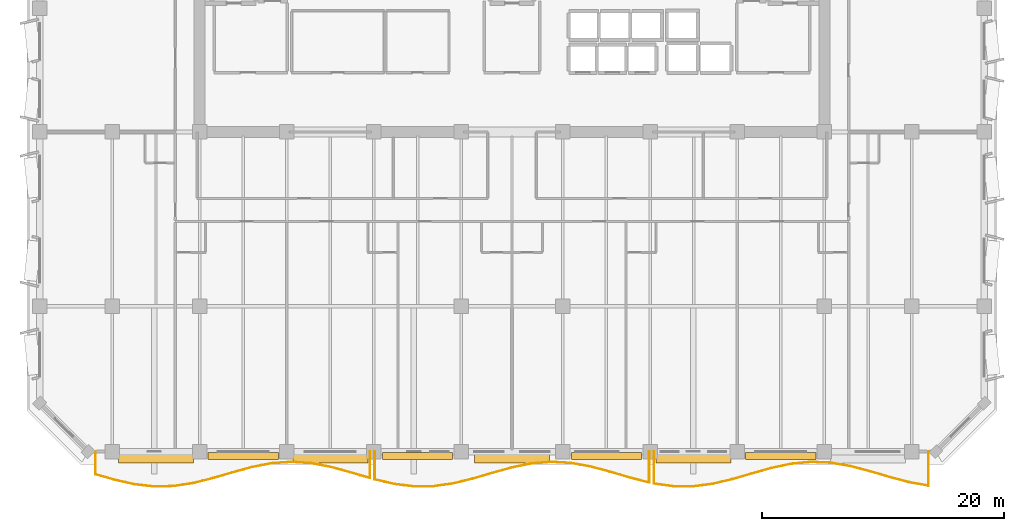
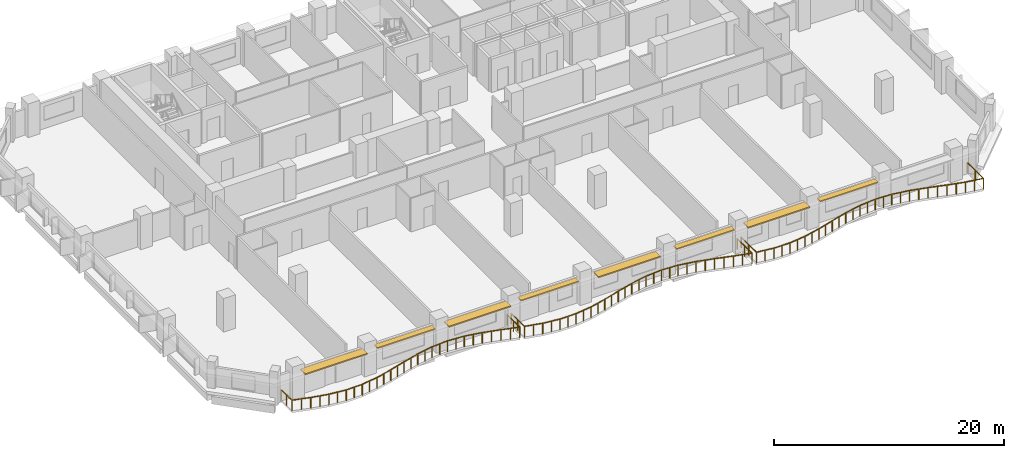
# One storey, part 10 of 14: 8 shading devices, 3 railings.
"""IFC4 building model written with IfcOpenShell, lengths in metres."""

from ifc_helpers import new_model, si_unit, direction, frame, origin, origin_2d, place, context, subcontext, project, spatial, rectangle, extrude, material, layer, layer_set, type_object, element, save


model = new_model("IFC4")

# Units and contexts
model_context = context("Model", 3, precision=1e-05, world=origin(), true_north=direction((0.0, 1.0)))
body_context = subcontext(model_context, "Body", "Model", "MODEL_VIEW")
ifc_project = project(units=[si_unit("LENGTHUNIT", "METRE"), si_unit("AREAUNIT", "SQUARE_METRE"), si_unit("VOLUMEUNIT", "CUBIC_METRE"), si_unit("PLANEANGLEUNIT", "RADIAN"), si_unit("MASSUNIT", "GRAM", prefix="KILO")], contexts=[model_context])

# Site, building, storey
site_placement = place(None, origin())
site = spatial("IfcSite", under=ifc_project, at=site_placement, CompositionType="ELEMENT")
building_placement = place(site_placement, origin())
building = spatial("IfcBuilding", under=site, at=building_placement, Name="Kaelvorn Grand Hotel", CompositionType="ELEMENT")
storey_placement = place(building_placement, frame((0.0, 0.0, 193.949951171875)))
storey = spatial("IfcBuildingStorey", under=building, at=storey_placement, Name="L47", CompositionType="ELEMENT", Elevation=193.949951171875)

# Railings
ifc_material_1 = material(Name="Stainless Steel", Category="steel")
railing_type = type_object("IfcRailingType", Name="RL-BALC-1150", PredefinedType="BALUSTRADE", material=ifc_material_1)
railing_1_placement = place(storey_placement, frame((7.60009765625, 3.0, 0.0)))
element("IfcRailing", 1, at=railing_1_placement, inside=storey, type_object=railing_type, Name="L47 Scalloped Wave Balcony Balustrade GR1-1", PredefinedType="BALUSTRADE", context=body_context, shape_type="SweptSolid", body=[
    extrude(rectangle(XDim=0.048095703125, YDim=0.048095703125, at=origin_2d()), frame((0.0, 0.0, 1.1259765625), z_axis=(0.0, -1.0, 0.0), x_axis=(1.0, 0.0, 0.0)), (0.0, 0.0, 1.0), 1.875),
    extrude(rectangle(XDim=0.048095703125, YDim=0.048095703125, at=origin_2d()), frame((0.0, -1.875, 1.1259765625), z_axis=(0.961123652399, -0.276118316667, 0.0), x_axis=(0.276118316667, 0.961123652399, 0.0)), (0.0, 0.0, 1.0), 1.684326171875),
    extrude(rectangle(XDim=0.048095703125, YDim=0.048095703125, at=origin_2d()), frame((1.618896484375, -2.340087890625, 1.1259765625), z_axis=(0.975679021294, -0.219204122697, 0.0), x_axis=(0.219204122697, 0.975679021294, 0.0)), (0.0, 0.0, 1.0), 1.659423828125),
    extrude(rectangle(XDim=0.048095703125, YDim=0.048095703125, at=origin_2d()), frame((3.238037109375, -2.703857421875, 1.1259765625), z_axis=(0.993647594746, -0.112536471672, 0.0), x_axis=(0.112536471672, 0.993647594746, 0.0)), (0.0, 0.0, 1.0), 1.629150390625),
    extrude(rectangle(XDim=0.048095703125, YDim=0.048095703125, at=origin_2d()), frame((4.85693359375, -2.88720703125, 1.1259765625), z_axis=(0.999737459028, 0.022913162511, 0.0), x_axis=(-0.022913162511, 0.999737459028, 0.0)), (0.0, 0.0, 1.0), 1.61962890625),
    extrude(rectangle(XDim=0.048095703125, YDim=0.048095703125, at=origin_2d()), frame((6.47607421875, -2.85009765625, 1.1259765625), z_axis=(0.988356186669, 0.15215797144, 0.0), x_axis=(-0.15215797144, 0.988356186669, 0.0)), (0.0, 0.0, 1.0), 1.63818359375),
    extrude(rectangle(XDim=0.048095703125, YDim=0.048095703125, at=origin_2d()), frame((8.09521484375, -2.600830078125, 1.1259765625), z_axis=(0.969754143814, 0.244083798224, 0.0), x_axis=(-0.244083798224, 0.969754143814, 0.0)), (0.0, 0.0, 1.0), 1.66943359375),
    extrude(rectangle(XDim=0.048095703125, YDim=0.048095703125, at=origin_2d()), frame((9.714111328125, -2.193359375, 1.1259765625), z_axis=(0.959271015447, 0.282487378343, 0.0), x_axis=(-0.282487378343, 0.959271015447, 0.0)), (0.0, 0.0, 1.0), 1.68798828125),
    extrude(rectangle(XDim=0.048095703125, YDim=0.048095703125, at=origin_2d()), frame((11.333251953125, -1.716552734375, 1.1259765625), z_axis=(0.964679853883, 0.26342509279, 0.0), x_axis=(-0.26342509279, 0.964679853883, 0.0)), (0.0, 0.0, 1.0), 1.678466796875),
    extrude(rectangle(XDim=0.048095703125, YDim=0.048095703125, at=origin_2d()), frame((12.952392578125, -1.2744140625, 1.1259765625), z_axis=(0.981984258407, 0.188962737706, 0.0), x_axis=(-0.188962737706, 0.981984258407, 0.0)), (0.0, 0.0, 1.0), 1.648681640625),
    extrude(rectangle(XDim=0.048095703125, YDim=0.048095703125, at=origin_2d()), frame((14.5712890625, -0.962890625, 1.1259765625), z_axis=(0.997582381569, 0.069493826943, 0.0), x_axis=(-0.069493826943, 0.997582381569, 0.0)), (0.0, 0.0, 1.0), 1.623046875),
    extrude(rectangle(XDim=0.048095703125, YDim=0.048095703125, at=origin_2d()), frame((16.1904296875, -0.85009765625, 1.1259765625), z_axis=(0.997695050209, -0.067857105662, 0.0), x_axis=(0.067857105662, 0.997695050209, 0.0)), (0.0, 0.0, 1.0), 1.62255859375),
    extrude(rectangle(XDim=0.048095703125, YDim=0.048095703125, at=origin_2d()), frame((17.809326171875, -0.960205078125, 1.1259765625), z_axis=(0.98220870142, -0.187792616616, 0.0), x_axis=(0.187792616616, 0.98220870142, 0.0)), (0.0, 0.0, 1.0), 1.6484375),
    extrude(rectangle(XDim=0.048095703125, YDim=0.048095703125, at=origin_2d()), frame((19.428466796875, -1.269775390625, 1.1259765625), z_axis=(0.964827580551, -0.26288350996, 0.0), x_axis=(0.26288350996, 0.964827580551, 0.0)), (0.0, 0.0, 1.0), 1.67822265625),
    extrude(rectangle(XDim=0.048095703125, YDim=0.048095703125, at=origin_2d()), frame((21.047607421875, -1.7109375, 1.1259765625), z_axis=(0.95922025705, -0.282659686665, 0.0), x_axis=(0.282659686665, 0.95922025705, 0.0)), (0.0, 0.0, 1.0), 1.687744140625),
    extrude(rectangle(XDim=0.048095703125, YDim=0.048095703125, at=origin_2d()), frame((22.66650390625, -2.18798828125, 1.1259765625), z_axis=(0.0, 1.0, 0.0), x_axis=(-1.0, 0.0, 0.0)), (0.0, 0.0, 1.0), 2.18798828125),
    extrude(rectangle(XDim=0.0419921875, YDim=0.0419921875, at=origin_2d()), origin(), (0.0, 0.0, 1.0), 1.101806640625),
    extrude(rectangle(XDim=0.0419921875, YDim=0.0419921875, at=origin_2d()), frame((0.0, -0.9375, 0.0)), (0.0, 0.0, 1.0), 1.101806640625),
    extrude(rectangle(XDim=0.0419921875, YDim=0.0419921875, at=origin_2d()), frame((0.0, -1.875, 0.0)), (0.0, 0.0, 1.0), 1.101806640625),
    extrude(rectangle(XDim=0.0419921875, YDim=0.0419921875, at=origin_2d()), frame((0.8095703125, -2.107421875, 0.0)), (0.0, 0.0, 1.0), 1.101806640625),
    extrude(rectangle(XDim=0.0419921875, YDim=0.0419921875, at=origin_2d()), frame((1.618896484375, -2.340087890625, 0.0)), (0.0, 0.0, 1.0), 1.101806640625),
    extrude(rectangle(XDim=0.0419921875, YDim=0.0419921875, at=origin_2d()), frame((2.428466796875, -2.52197265625, 0.0)), (0.0, 0.0, 1.0), 1.101806640625),
    extrude(rectangle(XDim=0.0419921875, YDim=0.0419921875, at=origin_2d()), frame((3.238037109375, -2.703857421875, 0.0)), (0.0, 0.0, 1.0), 1.101806640625),
    extrude(rectangle(XDim=0.0419921875, YDim=0.0419921875, at=origin_2d()), frame((4.04736328125, -2.79541015625, 0.0)), (0.0, 0.0, 1.0), 1.101806640625),
    extrude(rectangle(XDim=0.0419921875, YDim=0.0419921875, at=origin_2d()), frame((4.85693359375, -2.88720703125, 0.0)), (0.0, 0.0, 1.0), 1.101806640625),
    extrude(rectangle(XDim=0.0419921875, YDim=0.0419921875, at=origin_2d()), frame((5.66650390625, -2.86865234375, 0.0)), (0.0, 0.0, 1.0), 1.101806640625),
    extrude(rectangle(XDim=0.0419921875, YDim=0.0419921875, at=origin_2d()), frame((6.47607421875, -2.85009765625, 0.0)), (0.0, 0.0, 1.0), 1.101806640625),
    extrude(rectangle(XDim=0.0419921875, YDim=0.0419921875, at=origin_2d()), frame((7.28564453125, -2.7255859375, 0.0)), (0.0, 0.0, 1.0), 1.101806640625),
    extrude(rectangle(XDim=0.0419921875, YDim=0.0419921875, at=origin_2d()), frame((8.09521484375, -2.600830078125, 0.0)), (0.0, 0.0, 1.0), 1.101806640625),
    extrude(rectangle(XDim=0.0419921875, YDim=0.0419921875, at=origin_2d()), frame((8.90478515625, -2.39697265625, 0.0)), (0.0, 0.0, 1.0), 1.101806640625),
    extrude(rectangle(XDim=0.0419921875, YDim=0.0419921875, at=origin_2d()), frame((9.714111328125, -2.193359375, 0.0)), (0.0, 0.0, 1.0), 1.101806640625),
    extrude(rectangle(XDim=0.0419921875, YDim=0.0419921875, at=origin_2d()), frame((10.523681640625, -1.955078125, 0.0)), (0.0, 0.0, 1.0), 1.101806640625),
    extrude(rectangle(XDim=0.0419921875, YDim=0.0419921875, at=origin_2d()), frame((11.333251953125, -1.716552734375, 0.0)), (0.0, 0.0, 1.0), 1.101806640625),
    extrude(rectangle(XDim=0.0419921875, YDim=0.0419921875, at=origin_2d()), frame((12.142822265625, -1.49560546875, 0.0)), (0.0, 0.0, 1.0), 1.101806640625),
    extrude(rectangle(XDim=0.0419921875, YDim=0.0419921875, at=origin_2d()), frame((12.952392578125, -1.2744140625, 0.0)), (0.0, 0.0, 1.0), 1.101806640625),
    extrude(rectangle(XDim=0.0419921875, YDim=0.0419921875, at=origin_2d()), frame((13.76171875, -1.11865234375, 0.0)), (0.0, 0.0, 1.0), 1.101806640625),
    extrude(rectangle(XDim=0.0419921875, YDim=0.0419921875, at=origin_2d()), frame((14.5712890625, -0.962890625, 0.0)), (0.0, 0.0, 1.0), 1.101806640625),
    extrude(rectangle(XDim=0.0419921875, YDim=0.0419921875, at=origin_2d()), frame((15.380859375, -0.906494140625, 0.0)), (0.0, 0.0, 1.0), 1.101806640625),
    extrude(rectangle(XDim=0.0419921875, YDim=0.0419921875, at=origin_2d()), frame((16.1904296875, -0.85009765625, 0.0)), (0.0, 0.0, 1.0), 1.101806640625),
    extrude(rectangle(XDim=0.0419921875, YDim=0.0419921875, at=origin_2d()), frame((17.0, -0.9052734375, 0.0)), (0.0, 0.0, 1.0), 1.101806640625),
    extrude(rectangle(XDim=0.0419921875, YDim=0.0419921875, at=origin_2d()), frame((17.809326171875, -0.960205078125, 0.0)), (0.0, 0.0, 1.0), 1.101806640625),
    extrude(rectangle(XDim=0.0419921875, YDim=0.0419921875, at=origin_2d()), frame((18.618896484375, -1.114990234375, 0.0)), (0.0, 0.0, 1.0), 1.101806640625),
    extrude(rectangle(XDim=0.0419921875, YDim=0.0419921875, at=origin_2d()), frame((19.428466796875, -1.269775390625, 0.0)), (0.0, 0.0, 1.0), 1.101806640625),
    extrude(rectangle(XDim=0.0419921875, YDim=0.0419921875, at=origin_2d()), frame((20.238037109375, -1.490234375, 0.0)), (0.0, 0.0, 1.0), 1.101806640625),
    extrude(rectangle(XDim=0.0419921875, YDim=0.0419921875, at=origin_2d()), frame((21.047607421875, -1.7109375, 0.0)), (0.0, 0.0, 1.0), 1.101806640625),
    extrude(rectangle(XDim=0.0419921875, YDim=0.0419921875, at=origin_2d()), frame((21.85693359375, -1.949462890625, 0.0)), (0.0, 0.0, 1.0), 1.101806640625),
    extrude(rectangle(XDim=0.0419921875, YDim=0.0419921875, at=origin_2d()), frame((22.66650390625, -2.18798828125, 0.0)), (0.0, 0.0, 1.0), 1.101806640625),
    extrude(rectangle(XDim=0.0419921875, YDim=0.0419921875, at=origin_2d()), frame((22.66650390625, -1.093994140625, 0.0)), (0.0, 0.0, 1.0), 1.101806640625),
    extrude(rectangle(XDim=0.0419921875, YDim=0.0419921875, at=origin_2d()), frame((22.66650390625, 0.0, 0.0)), (0.0, 0.0, 1.0), 1.101806640625),
])
railing_2_placement = place(storey_placement, frame((30.666748046875, 3.0, 0.0)))
element("IfcRailing", 2, at=railing_2_placement, inside=storey, type_object=railing_type, Name="L47 Scalloped Wave Balcony Balustrade GR1-2", PredefinedType="BALUSTRADE", context=body_context, shape_type="SweptSolid", body=[
    extrude(rectangle(XDim=0.048095703125, YDim=0.048095703125, at=origin_2d()), frame((0.0, 0.0, 1.1259765625), z_axis=(0.0, -1.0, 0.0), x_axis=(1.0, 0.0, 0.0)), (0.0, 0.0, 1.0), 2.299072265625),
    extrude(rectangle(XDim=0.048095703125, YDim=0.048095703125, at=origin_2d()), frame((0.0, -2.299072265625, 1.1259765625), z_axis=(0.97391374526, -0.226918524571, 0.0), x_axis=(0.226918524571, 0.97391374526, 0.0)), (0.0, 0.0, 1.0), 1.662353515625),
    extrude(rectangle(XDim=0.048095703125, YDim=0.048095703125, at=origin_2d()), frame((1.618896484375, -2.67626953125, 1.1259765625), z_axis=(0.992241004877, -0.124329353898, 0.0), x_axis=(0.124329353898, 0.992241004877, 0.0)), (0.0, 0.0, 1.0), 1.6318359375),
    extrude(rectangle(XDim=0.048095703125, YDim=0.048095703125, at=origin_2d()), frame((3.238037109375, -2.879150390625, 1.1259765625), z_axis=(0.999951974002, 0.009800494317, 0.0), x_axis=(-0.009800494317, 0.999951974002, 0.0)), (0.0, 0.0, 1.0), 1.619140625),
    extrude(rectangle(XDim=0.048095703125, YDim=0.048095703125, at=origin_2d()), frame((4.857177734375, -2.86328125, 1.1259765625), z_axis=(0.98995546446, 0.141379554342, 0.0), x_axis=(-0.141379554342, 0.98995546446, 0.0)), (0.0, 0.0, 1.0), 1.63525390625),
    extrude(rectangle(XDim=0.048095703125, YDim=0.048095703125, at=origin_2d()), frame((6.47607421875, -2.632080078125, 1.1259765625), z_axis=(0.971404261789, 0.237431590525, 0.0), x_axis=(-0.237431590525, 0.971404261789, 0.0)), (0.0, 0.0, 1.0), 1.666748046875),
    extrude(rectangle(XDim=0.048095703125, YDim=0.048095703125, at=origin_2d()), frame((8.09521484375, -2.236328125, 1.1259765625), z_axis=(0.959611705513, 0.281327877472, 0.0), x_axis=(-0.281327877472, 0.959611705513, 0.0)), (0.0, 0.0, 1.0), 1.68701171875),
    extrude(rectangle(XDim=0.048095703125, YDim=0.048095703125, at=origin_2d()), frame((9.714111328125, -1.76171875, 1.1259765625), z_axis=(0.963488764912, 0.267748762626, 0.0), x_axis=(-0.267748762626, 0.963488764912, 0.0)), (0.0, 0.0, 1.0), 1.680419921875),
    extrude(rectangle(XDim=0.048095703125, YDim=0.048095703125, at=origin_2d()), frame((11.333251953125, -1.311767578125, 1.1259765625), z_axis=(0.980192223975, 0.198048489163, 0.0), x_axis=(-0.198048489163, 0.980192223975, 0.0)), (0.0, 0.0, 1.0), 1.65185546875),
    extrude(rectangle(XDim=0.048095703125, YDim=0.048095703125, at=origin_2d()), frame((12.952392578125, -0.984619140625, 1.1259765625), z_axis=(0.996614857053, 0.082212083669, 0.0), x_axis=(-0.082212083669, 0.996614857053, 0.0)), (0.0, 0.0, 1.0), 1.62451171875),
    extrude(rectangle(XDim=0.048095703125, YDim=0.048095703125, at=origin_2d()), frame((14.5712890625, -0.85107421875, 1.1259765625), z_axis=(0.998472373967, -0.055253220936, 0.0), x_axis=(0.055253220936, 0.998472373967, 0.0)), (0.0, 0.0, 1.0), 1.62158203125),
    extrude(rectangle(XDim=0.048095703125, YDim=0.048095703125, at=origin_2d()), frame((16.1904296875, -0.940673828125, 1.1259765625), z_axis=(0.984016786226, -0.178075726658, 0.0), x_axis=(0.178075726658, 0.984016786226, 0.0)), (0.0, 0.0, 1.0), 1.645263671875),
    extrude(rectangle(XDim=0.048095703125, YDim=0.048095703125, at=origin_2d()), frame((17.809326171875, -1.233642578125, 1.1259765625), z_axis=(0.966109097748, -0.258134095478, 0.0), x_axis=(0.258134095478, 0.966109097748, 0.0)), (0.0, 0.0, 1.0), 1.676025390625),
    extrude(rectangle(XDim=0.048095703125, YDim=0.048095703125, at=origin_2d()), frame((19.428466796875, -1.666259765625, 1.1259765625), z_axis=(0.959074846834, -0.283152676433, 0.0), x_axis=(0.283152676433, 0.959074846834, 0.0)), (0.0, 0.0, 1.0), 1.688232421875),
    extrude(rectangle(XDim=0.048095703125, YDim=0.048095703125, at=origin_2d()), frame((21.047607421875, -2.144287109375, 1.1259765625), z_axis=(0.968037604071, -0.250805097843, 0.0), x_axis=(0.250805097843, 0.968037604071, 0.0)), (0.0, 0.0, 1.0), 1.67236328125),
    extrude(rectangle(XDim=0.048095703125, YDim=0.048095703125, at=origin_2d()), frame((22.66650390625, -2.563720703125, 1.1259765625), z_axis=(0.0, 1.0, 0.0), x_axis=(-1.0, 0.0, 0.0)), (0.0, 0.0, 1.0), 2.563720703125),
    extrude(rectangle(XDim=0.0419921875, YDim=0.0419921875, at=origin_2d()), origin(), (0.0, 0.0, 1.0), 1.101806640625),
    extrude(rectangle(XDim=0.0419921875, YDim=0.0419921875, at=origin_2d()), frame((0.0, -1.1494140625, 0.0)), (0.0, 0.0, 1.0), 1.101806640625),
    extrude(rectangle(XDim=0.0419921875, YDim=0.0419921875, at=origin_2d()), frame((0.0, -2.299072265625, 0.0)), (0.0, 0.0, 1.0), 1.101806640625),
    extrude(rectangle(XDim=0.0419921875, YDim=0.0419921875, at=origin_2d()), frame((0.8095703125, -2.48779296875, 0.0)), (0.0, 0.0, 1.0), 1.101806640625),
    extrude(rectangle(XDim=0.0419921875, YDim=0.0419921875, at=origin_2d()), frame((1.618896484375, -2.67626953125, 0.0)), (0.0, 0.0, 1.0), 1.101806640625),
    extrude(rectangle(XDim=0.0419921875, YDim=0.0419921875, at=origin_2d()), frame((2.428466796875, -2.77783203125, 0.0)), (0.0, 0.0, 1.0), 1.101806640625),
    extrude(rectangle(XDim=0.0419921875, YDim=0.0419921875, at=origin_2d()), frame((3.238037109375, -2.879150390625, 0.0)), (0.0, 0.0, 1.0), 1.101806640625),
    extrude(rectangle(XDim=0.0419921875, YDim=0.0419921875, at=origin_2d()), frame((4.047607421875, -2.87109375, 0.0)), (0.0, 0.0, 1.0), 1.101806640625),
    extrude(rectangle(XDim=0.0419921875, YDim=0.0419921875, at=origin_2d()), frame((4.857177734375, -2.86328125, 0.0)), (0.0, 0.0, 1.0), 1.101806640625),
    extrude(rectangle(XDim=0.0419921875, YDim=0.0419921875, at=origin_2d()), frame((5.66650390625, -2.74755859375, 0.0)), (0.0, 0.0, 1.0), 1.101806640625),
    extrude(rectangle(XDim=0.0419921875, YDim=0.0419921875, at=origin_2d()), frame((6.47607421875, -2.632080078125, 0.0)), (0.0, 0.0, 1.0), 1.101806640625),
    extrude(rectangle(XDim=0.0419921875, YDim=0.0419921875, at=origin_2d()), frame((7.28564453125, -2.43408203125, 0.0)), (0.0, 0.0, 1.0), 1.101806640625),
    extrude(rectangle(XDim=0.0419921875, YDim=0.0419921875, at=origin_2d()), frame((8.09521484375, -2.236328125, 0.0)), (0.0, 0.0, 1.0), 1.101806640625),
    extrude(rectangle(XDim=0.0419921875, YDim=0.0419921875, at=origin_2d()), frame((8.90478515625, -1.9990234375, 0.0)), (0.0, 0.0, 1.0), 1.101806640625),
    extrude(rectangle(XDim=0.0419921875, YDim=0.0419921875, at=origin_2d()), frame((9.714111328125, -1.76171875, 0.0)), (0.0, 0.0, 1.0), 1.101806640625),
    extrude(rectangle(XDim=0.0419921875, YDim=0.0419921875, at=origin_2d()), frame((10.523681640625, -1.53662109375, 0.0)), (0.0, 0.0, 1.0), 1.101806640625),
    extrude(rectangle(XDim=0.0419921875, YDim=0.0419921875, at=origin_2d()), frame((11.333251953125, -1.311767578125, 0.0)), (0.0, 0.0, 1.0), 1.101806640625),
    extrude(rectangle(XDim=0.0419921875, YDim=0.0419921875, at=origin_2d()), frame((12.142822265625, -1.148193359375, 0.0)), (0.0, 0.0, 1.0), 1.101806640625),
    extrude(rectangle(XDim=0.0419921875, YDim=0.0419921875, at=origin_2d()), frame((12.952392578125, -0.984619140625, 0.0)), (0.0, 0.0, 1.0), 1.101806640625),
    extrude(rectangle(XDim=0.0419921875, YDim=0.0419921875, at=origin_2d()), frame((13.76171875, -0.91796875, 0.0)), (0.0, 0.0, 1.0), 1.101806640625),
    extrude(rectangle(XDim=0.0419921875, YDim=0.0419921875, at=origin_2d()), frame((14.5712890625, -0.85107421875, 0.0)), (0.0, 0.0, 1.0), 1.101806640625),
    extrude(rectangle(XDim=0.0419921875, YDim=0.0419921875, at=origin_2d()), frame((15.380859375, -0.89599609375, 0.0)), (0.0, 0.0, 1.0), 1.101806640625),
    extrude(rectangle(XDim=0.0419921875, YDim=0.0419921875, at=origin_2d()), frame((16.1904296875, -0.940673828125, 0.0)), (0.0, 0.0, 1.0), 1.101806640625),
    extrude(rectangle(XDim=0.0419921875, YDim=0.0419921875, at=origin_2d()), frame((17.0, -1.087158203125, 0.0)), (0.0, 0.0, 1.0), 1.101806640625),
    extrude(rectangle(XDim=0.0419921875, YDim=0.0419921875, at=origin_2d()), frame((17.809326171875, -1.233642578125, 0.0)), (0.0, 0.0, 1.0), 1.101806640625),
    extrude(rectangle(XDim=0.0419921875, YDim=0.0419921875, at=origin_2d()), frame((18.618896484375, -1.449951171875, 0.0)), (0.0, 0.0, 1.0), 1.101806640625),
    extrude(rectangle(XDim=0.0419921875, YDim=0.0419921875, at=origin_2d()), frame((19.428466796875, -1.666259765625, 0.0)), (0.0, 0.0, 1.0), 1.101806640625),
    extrude(rectangle(XDim=0.0419921875, YDim=0.0419921875, at=origin_2d()), frame((20.238037109375, -1.9052734375, 0.0)), (0.0, 0.0, 1.0), 1.101806640625),
    extrude(rectangle(XDim=0.0419921875, YDim=0.0419921875, at=origin_2d()), frame((21.047607421875, -2.144287109375, 0.0)), (0.0, 0.0, 1.0), 1.101806640625),
    extrude(rectangle(XDim=0.0419921875, YDim=0.0419921875, at=origin_2d()), frame((21.85693359375, -2.35400390625, 0.0)), (0.0, 0.0, 1.0), 1.101806640625),
    extrude(rectangle(XDim=0.0419921875, YDim=0.0419921875, at=origin_2d()), frame((22.66650390625, -2.563720703125, 0.0)), (0.0, 0.0, 1.0), 1.101806640625),
    extrude(rectangle(XDim=0.0419921875, YDim=0.0419921875, at=origin_2d()), frame((22.66650390625, -1.28173828125, 0.0)), (0.0, 0.0, 1.0), 1.101806640625),
    extrude(rectangle(XDim=0.0419921875, YDim=0.0419921875, at=origin_2d()), frame((22.66650390625, 0.0, 0.0)), (0.0, 0.0, 1.0), 1.101806640625),
])
railing_3_placement = place(storey_placement, frame((53.7333984375, 3.0, 0.0)))
element("IfcRailing", 3, at=railing_3_placement, inside=storey, type_object=railing_type, Name="L47 Scalloped Wave Balcony Balustrade GR1-3", PredefinedType="BALUSTRADE", context=body_context, shape_type="SweptSolid", body=[
    extrude(rectangle(XDim=0.048095703125, YDim=0.048095703125, at=origin_2d()), frame((0.0, 0.0, 1.1259765625), z_axis=(0.0, -1.0, 0.0), x_axis=(1.0, 0.0, 0.0)), (0.0, 0.0, 1.0), 2.647216796875),
    extrude(rectangle(XDim=0.048095703125, YDim=0.048095703125, at=origin_2d()), frame((0.0, -2.647216796875, 1.1259765625), z_axis=(0.99075454956, -0.135666585885, 0.0), x_axis=(0.135666585885, 0.99075454956, 0.0)), (0.0, 0.0, 1.0), 1.634033203125),
    extrude(rectangle(XDim=0.048095703125, YDim=0.048095703125, at=origin_2d()), frame((1.618896484375, -2.868896484375, 1.1259765625), z_axis=(0.999994497973, -0.003317231447, 0.0), x_axis=(0.003317231447, 0.999994497973, 0.0)), (0.0, 0.0, 1.0), 1.619140625),
    extrude(rectangle(XDim=0.048095703125, YDim=0.048095703125, at=origin_2d()), frame((3.238037109375, -2.874267578125, 1.1259765625), z_axis=(0.991524375994, 0.129920790522, 0.0), x_axis=(-0.129920790522, 0.991524375994, 0.0)), (0.0, 0.0, 1.0), 1.633056640625),
    extrude(rectangle(XDim=0.048095703125, YDim=0.048095703125, at=origin_2d()), frame((4.857177734375, -2.662109375, 1.1259765625), z_axis=(0.9730309029, 0.230674797068, 0.0), x_axis=(-0.230674797068, 0.9730309029, 0.0)), (0.0, 0.0, 1.0), 1.663818359375),
    extrude(rectangle(XDim=0.048095703125, YDim=0.048095703125, at=origin_2d()), frame((6.47607421875, -2.2783203125, 1.1259765625), z_axis=(0.960129612925, 0.279555229578, 0.0), x_axis=(-0.279555229578, 0.960129612925, 0.0)), (0.0, 0.0, 1.0), 1.686279296875),
    extrude(rectangle(XDim=0.048095703125, YDim=0.048095703125, at=origin_2d()), frame((8.09521484375, -1.806884765625, 1.1259765625), z_axis=(0.962460371108, 0.271422243096, 0.0), x_axis=(-0.271422243096, 0.962460371108, 0.0)), (0.0, 0.0, 1.0), 1.68212890625),
    extrude(rectangle(XDim=0.048095703125, YDim=0.048095703125, at=origin_2d()), frame((9.714111328125, -1.350341796875, 1.1259765625), z_axis=(0.978347405414, 0.206969452623, 0.0), x_axis=(-0.206969452623, 0.978347405414, 0.0)), (0.0, 0.0, 1.0), 1.655029296875),
    extrude(rectangle(XDim=0.048095703125, YDim=0.048095703125, at=origin_2d()), frame((11.333251953125, -1.0078125, 1.1259765625), z_axis=(0.995532502305, 0.094419472851, 0.0), x_axis=(-0.094419472851, 0.995532502305, 0.0)), (0.0, 0.0, 1.0), 1.62646484375),
    extrude(rectangle(XDim=0.048095703125, YDim=0.048095703125, at=origin_2d()), frame((12.952392578125, -0.854248046875, 1.1259765625), z_axis=(0.999103314506, -0.042338716842, 0.0), x_axis=(0.042338716842, 0.999103314506, 0.0)), (0.0, 0.0, 1.0), 1.620361328125),
    extrude(rectangle(XDim=0.048095703125, YDim=0.048095703125, at=origin_2d()), frame((14.5712890625, -0.9228515625, 1.1259765625), z_axis=(0.985768283412, -0.168109760033, 0.0), x_axis=(0.168109760033, 0.985768283412, 0.0)), (0.0, 0.0, 1.0), 1.642578125),
    extrude(rectangle(XDim=0.048095703125, YDim=0.048095703125, at=origin_2d()), frame((16.1904296875, -1.198974609375, 1.1259765625), z_axis=(0.967513392328, -0.252819769135, 0.0), x_axis=(0.252819769135, 0.967513392328, 0.0)), (0.0, 0.0, 1.0), 1.673583984375),
    extrude(rectangle(XDim=0.048095703125, YDim=0.048095703125, at=origin_2d()), frame((17.8095703125, -1.6220703125, 1.1259765625), z_axis=(0.959023960124, -0.283324979322, 0.0), x_axis=(0.283324979322, 0.959023960124, 0.0)), (0.0, 0.0, 1.0), 1.68798828125),
    extrude(rectangle(XDim=0.048095703125, YDim=0.048095703125, at=origin_2d()), frame((19.428466796875, -2.100341796875, 1.1259765625), z_axis=(0.966616093109, -0.256229054838, 0.0), x_axis=(0.256229054838, 0.966616093109, 0.0)), (0.0, 0.0, 1.0), 1.675048828125),
    extrude(rectangle(XDim=0.048095703125, YDim=0.048095703125, at=origin_2d()), frame((21.047607421875, -2.529541015625, 1.1259765625), z_axis=(0.98468623376, -0.174335943061, 0.0), x_axis=(0.174335943061, 0.98468623376, 0.0)), (0.0, 0.0, 1.0), 1.64404296875),
    extrude(rectangle(XDim=0.048095703125, YDim=0.048095703125, at=origin_2d()), frame((22.66650390625, -2.816162109375, 1.1259765625), z_axis=(0.0, 1.0, 0.0), x_axis=(-1.0, 0.0, 0.0)), (0.0, 0.0, 1.0), 2.816162109375),
    extrude(rectangle(XDim=0.0419921875, YDim=0.0419921875, at=origin_2d()), origin(), (0.0, 0.0, 1.0), 1.101806640625),
    extrude(rectangle(XDim=0.0419921875, YDim=0.0419921875, at=origin_2d()), frame((0.0, -1.32373046875, 0.0)), (0.0, 0.0, 1.0), 1.101806640625),
    extrude(rectangle(XDim=0.0419921875, YDim=0.0419921875, at=origin_2d()), frame((0.0, -2.647216796875, 0.0)), (0.0, 0.0, 1.0), 1.101806640625),
    extrude(rectangle(XDim=0.0419921875, YDim=0.0419921875, at=origin_2d()), frame((0.8095703125, -2.758056640625, 0.0)), (0.0, 0.0, 1.0), 1.101806640625),
    extrude(rectangle(XDim=0.0419921875, YDim=0.0419921875, at=origin_2d()), frame((1.618896484375, -2.868896484375, 0.0)), (0.0, 0.0, 1.0), 1.101806640625),
    extrude(rectangle(XDim=0.0419921875, YDim=0.0419921875, at=origin_2d()), frame((2.428466796875, -2.87158203125, 0.0)), (0.0, 0.0, 1.0), 1.101806640625),
    extrude(rectangle(XDim=0.0419921875, YDim=0.0419921875, at=origin_2d()), frame((3.238037109375, -2.874267578125, 0.0)), (0.0, 0.0, 1.0), 1.101806640625),
    extrude(rectangle(XDim=0.0419921875, YDim=0.0419921875, at=origin_2d()), frame((4.047607421875, -2.76806640625, 0.0)), (0.0, 0.0, 1.0), 1.101806640625),
    extrude(rectangle(XDim=0.0419921875, YDim=0.0419921875, at=origin_2d()), frame((4.857177734375, -2.662109375, 0.0)), (0.0, 0.0, 1.0), 1.101806640625),
    extrude(rectangle(XDim=0.0419921875, YDim=0.0419921875, at=origin_2d()), frame((5.66650390625, -2.47021484375, 0.0)), (0.0, 0.0, 1.0), 1.101806640625),
    extrude(rectangle(XDim=0.0419921875, YDim=0.0419921875, at=origin_2d()), frame((6.47607421875, -2.2783203125, 0.0)), (0.0, 0.0, 1.0), 1.101806640625),
    extrude(rectangle(XDim=0.0419921875, YDim=0.0419921875, at=origin_2d()), frame((7.28564453125, -2.04248046875, 0.0)), (0.0, 0.0, 1.0), 1.101806640625),
    extrude(rectangle(XDim=0.0419921875, YDim=0.0419921875, at=origin_2d()), frame((8.09521484375, -1.806884765625, 0.0)), (0.0, 0.0, 1.0), 1.101806640625),
    extrude(rectangle(XDim=0.0419921875, YDim=0.0419921875, at=origin_2d()), frame((8.90478515625, -1.57861328125, 0.0)), (0.0, 0.0, 1.0), 1.101806640625),
    extrude(rectangle(XDim=0.0419921875, YDim=0.0419921875, at=origin_2d()), frame((9.714111328125, -1.350341796875, 0.0)), (0.0, 0.0, 1.0), 1.101806640625),
    extrude(rectangle(XDim=0.0419921875, YDim=0.0419921875, at=origin_2d()), frame((10.523681640625, -1.17919921875, 0.0)), (0.0, 0.0, 1.0), 1.101806640625),
    extrude(rectangle(XDim=0.0419921875, YDim=0.0419921875, at=origin_2d()), frame((11.333251953125, -1.0078125, 0.0)), (0.0, 0.0, 1.0), 1.101806640625),
    extrude(rectangle(XDim=0.0419921875, YDim=0.0419921875, at=origin_2d()), frame((12.142822265625, -0.93115234375, 0.0)), (0.0, 0.0, 1.0), 1.101806640625),
    extrude(rectangle(XDim=0.0419921875, YDim=0.0419921875, at=origin_2d()), frame((12.952392578125, -0.854248046875, 0.0)), (0.0, 0.0, 1.0), 1.101806640625),
    extrude(rectangle(XDim=0.0419921875, YDim=0.0419921875, at=origin_2d()), frame((13.76171875, -0.888671875, 0.0)), (0.0, 0.0, 1.0), 1.101806640625),
    extrude(rectangle(XDim=0.0419921875, YDim=0.0419921875, at=origin_2d()), frame((14.5712890625, -0.9228515625, 0.0)), (0.0, 0.0, 1.0), 1.101806640625),
    extrude(rectangle(XDim=0.0419921875, YDim=0.0419921875, at=origin_2d()), frame((15.380859375, -1.06103515625, 0.0)), (0.0, 0.0, 1.0), 1.101806640625),
    extrude(rectangle(XDim=0.0419921875, YDim=0.0419921875, at=origin_2d()), frame((16.1904296875, -1.198974609375, 0.0)), (0.0, 0.0, 1.0), 1.101806640625),
    extrude(rectangle(XDim=0.0419921875, YDim=0.0419921875, at=origin_2d()), frame((17.0, -1.41064453125, 0.0)), (0.0, 0.0, 1.0), 1.101806640625),
    extrude(rectangle(XDim=0.0419921875, YDim=0.0419921875, at=origin_2d()), frame((17.8095703125, -1.6220703125, 0.0)), (0.0, 0.0, 1.0), 1.101806640625),
    extrude(rectangle(XDim=0.0419921875, YDim=0.0419921875, at=origin_2d()), frame((18.619140625, -1.861328125, 0.0)), (0.0, 0.0, 1.0), 1.101806640625),
    extrude(rectangle(XDim=0.0419921875, YDim=0.0419921875, at=origin_2d()), frame((19.428466796875, -2.100341796875, 0.0)), (0.0, 0.0, 1.0), 1.101806640625),
    extrude(rectangle(XDim=0.0419921875, YDim=0.0419921875, at=origin_2d()), frame((20.238037109375, -2.31494140625, 0.0)), (0.0, 0.0, 1.0), 1.101806640625),
    extrude(rectangle(XDim=0.0419921875, YDim=0.0419921875, at=origin_2d()), frame((21.047607421875, -2.529541015625, 0.0)), (0.0, 0.0, 1.0), 1.101806640625),
    extrude(rectangle(XDim=0.0419921875, YDim=0.0419921875, at=origin_2d()), frame((21.85693359375, -2.6728515625, 0.0)), (0.0, 0.0, 1.0), 1.101806640625),
    extrude(rectangle(XDim=0.0419921875, YDim=0.0419921875, at=origin_2d()), frame((22.66650390625, -2.816162109375, 0.0)), (0.0, 0.0, 1.0), 1.101806640625),
    extrude(rectangle(XDim=0.0419921875, YDim=0.0419921875, at=origin_2d()), frame((22.66650390625, -1.408203125, 0.0)), (0.0, 0.0, 1.0), 1.101806640625),
    extrude(rectangle(XDim=0.0419921875, YDim=0.0419921875, at=origin_2d()), frame((22.66650390625, 0.0, 0.0)), (0.0, 0.0, 1.0), 1.101806640625),
])

# Shading devices
ifc_material_2 = material(Name="Precast concrete C45/55", Category="concrete")
ifc_layer_1 = layer(ifc_material_2, 0.1201171875)
ifc_layer_set_1 = layer_set([ifc_layer_1], Name="Precast concrete C45/55")
shading_device_type_1 = type_object("IfcShadingDeviceType", Name="SHD-SUNSHADE-550", PredefinedType="USERDEFINED", material=ifc_layer_set_1)
for number, where, z_axis, x_axis, name in (
    (4, (19.800048828125, 2.64501953125, 2.56005859375), (0.0, 0.0, 1.0), (1.0, 0.0, 0.0), "L47 Horizontal Concrete Sunshade Band SS-03"),
    (5, (34.199951171875, 2.64501953125, 2.56005859375), (0.0, 0.0, 1.0), (1.0, 0.0, 0.0), "L47 Horizontal Concrete Sunshade Band SS-05"),
    (6, (49.800048828125, 2.64501953125, 2.56005859375), (0.0, 0.0, 1.0), (1.0, 0.0, 0.0), "L47 Horizontal Concrete Sunshade Band SS-07"),
    (7, (64.199951171875, 2.64501953125, 2.56005859375), (0.0, 0.0, 1.0), (1.0, 0.0, 0.0), "L47 Horizontal Concrete Sunshade Band SS-09"),
):
    element("IfcShadingDevice", number, at=place(storey_placement, frame(where, z_axis=z_axis, x_axis=x_axis)), inside=storey, type_object=shading_device_type_1, Name=name, ObjectType="SUNSHADE", PredefinedType="USERDEFINED", context=body_context, shape_type="SweptSolid", body=[
        extrude(rectangle(XDim=5.800048828125, YDim=0.550048828125, at=origin_2d()), origin(), (0.0, 0.0, 1.0), 0.1201171875),
    ])
ifc_layer_2 = layer(ifc_material_2, 0.139892578125)
ifc_layer_set_2 = layer_set([ifc_layer_2], Name="Precast concrete C45/55")
shading_device_type_2 = type_object("IfcShadingDeviceType", Name="SHD-SUNSHADE-850", PredefinedType="USERDEFINED", material=ifc_layer_set_2)
for number, where, z_axis, x_axis, name in (
    (8, (12.60009765625, 2.4951171875, 2.55029296875), (0.0, 0.0, 1.0), (1.0, 0.0, 0.0), "L47 Horizontal Concrete Sunshade Band SS-02"),
    (9, (27.0, 2.4951171875, 2.55029296875), (0.0, 0.0, 1.0), (1.0, 0.0, 0.0), "L47 Horizontal Concrete Sunshade Band SS-04"),
    (10, (42.0, 2.4951171875, 2.55029296875), (0.0, 0.0, 1.0), (1.0, 0.0, 0.0), "L47 Horizontal Concrete Sunshade Band SS-06"),
    (11, (57.0, 2.4951171875, 2.55029296875), (0.0, 0.0, 1.0), (1.0, 0.0, 0.0), "L47 Horizontal Concrete Sunshade Band SS-08"),
):
    element("IfcShadingDevice", number, at=place(storey_placement, frame(where, z_axis=z_axis, x_axis=x_axis)), inside=storey, type_object=shading_device_type_2, Name=name, ObjectType="SUNSHADE", PredefinedType="USERDEFINED", context=body_context, shape_type="SweptSolid", body=[
        extrude(rectangle(XDim=6.199951171875, YDim=0.85009765625, at=origin_2d()), origin(), (0.0, 0.0, 1.0), 0.139892578125),
    ])

save(model, "model.ifc")
